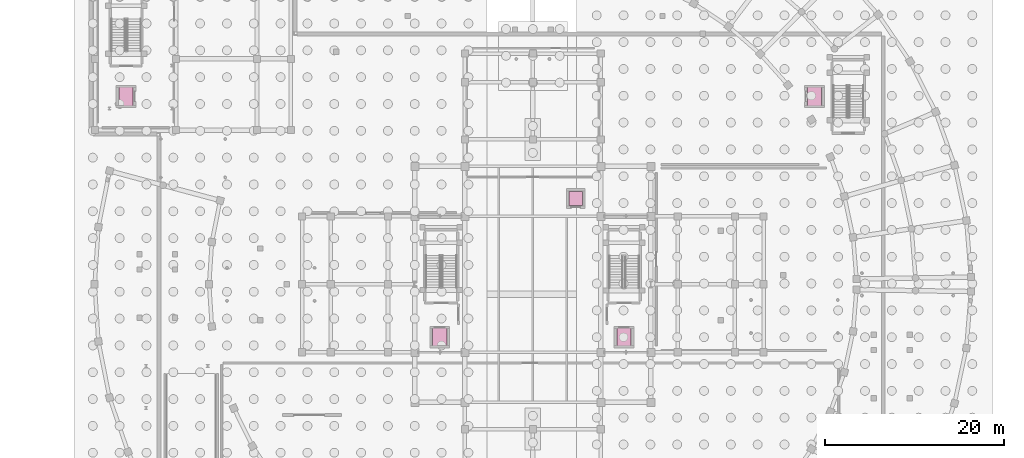
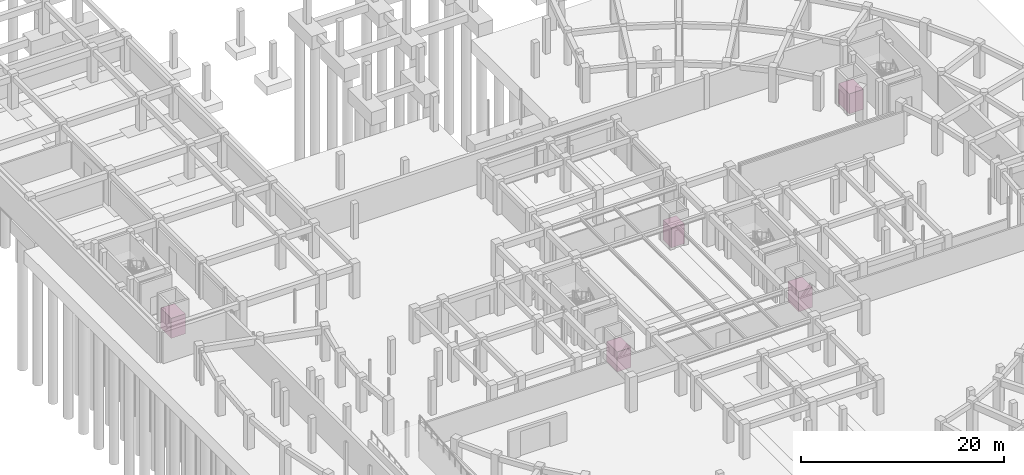
# One storey, part 33 of 33: 5 transport elements.
"""IFC4 building model written with IfcOpenShell, lengths in metres."""

from ifc_helpers import new_model, si_unit, direction, frame, origin, origin_2d, place, context, subcontext, project, spatial, rectangle, extrude, material, type_object, element, save


model = new_model("IFC4")

# Units and contexts
model_context = context("Model", 3, precision=1e-05, world=origin(), true_north=direction((0.0, 1.0)))
body_context = subcontext(model_context, "Body", "Model", "MODEL_VIEW")
ifc_project = project(units=[si_unit("LENGTHUNIT", "METRE"), si_unit("AREAUNIT", "SQUARE_METRE"), si_unit("VOLUMEUNIT", "CUBIC_METRE"), si_unit("PLANEANGLEUNIT", "RADIAN"), si_unit("MASSUNIT", "GRAM", prefix="KILO")], contexts=[model_context])

# Site, building, storey
site_placement = place(None, origin())
site = spatial("IfcSite", under=ifc_project, at=site_placement, CompositionType="ELEMENT")
building_placement = place(site_placement, origin())
building = spatial("IfcBuilding", under=site, at=building_placement, Name="Saryqyr Civic Hall", CompositionType="ELEMENT")
storey_placement = place(building_placement, frame((0.0, 0.0, -4.199951171875)))
storey = spatial("IfcBuildingStorey", under=building, at=storey_placement, Name="B1", CompositionType="ELEMENT", Elevation=-4.199951171875)

# Transport elements
ifc_material = material(Name="Brushed stainless steel", Category="steel")
transport_element_type_1 = type_object("IfcTransportElementType", Name="INT-LFT-1000", PredefinedType="ELEVATOR", material=ifc_material)
transport_element_placement = place(storey_placement, frame((61.800048828125, 93.60009765625, 0.0), z_axis=(0.0, 0.0, 1.0), x_axis=(1.0, 0.0, 0.0)))
element("IfcTransportElement", 1, at=transport_element_placement, inside=storey, type_object=transport_element_type_1, Name="Public Hall Passenger Lift LF-04", PredefinedType="ELEVATOR", context=body_context, shape_type="SweptSolid", body=[
    extrude(rectangle(XDim=1.5, YDim=1.60009765625, at=origin_2d()), origin(), (0.0, 0.0, 1.0), 2.39990234375),
])
transport_element_type_2 = type_object("IfcTransportElementType", Name="INT-LFT-1275", PredefinedType="ELEVATOR", material=ifc_material)
for number, where, z_axis, x_axis, name in (
    (2, (46.60009765625, 78.10009765625, 0.0), (0.0, 0.0, 1.0), (1.0, 0.0, 0.0), "Firefighting and MGN Stretcher Lift LF-01"),
    (3, (67.199951171875, 78.10009765625, 0.0), (0.0, 0.0, 1.0), (1.0, 0.0, 0.0), "Firefighting and MGN Stretcher Lift LF-02"),
    (4, (11.5, 105.0, 0.0), (0.0, 0.0, 1.0), (1.0, 0.0, 0.0), "Library and Archive Lift LF-05"),
    (5, (88.5, 105.0, 0.0), (0.0, 0.0, 1.0), (1.0, 0.0, 0.0), "North Ring Executive Lift LF-08"),
):
    element("IfcTransportElement", number, at=place(storey_placement, frame(where, z_axis=z_axis, x_axis=x_axis)), inside=storey, type_object=transport_element_type_2, Name=name, PredefinedType="ELEVATOR", context=body_context, shape_type="SweptSolid", body=[
        extrude(rectangle(XDim=1.60009765625, YDim=2.10009765625, at=origin_2d()), origin(), (0.0, 0.0, 1.0), 2.39990234375),
    ])

save(model, "model.ifc")
